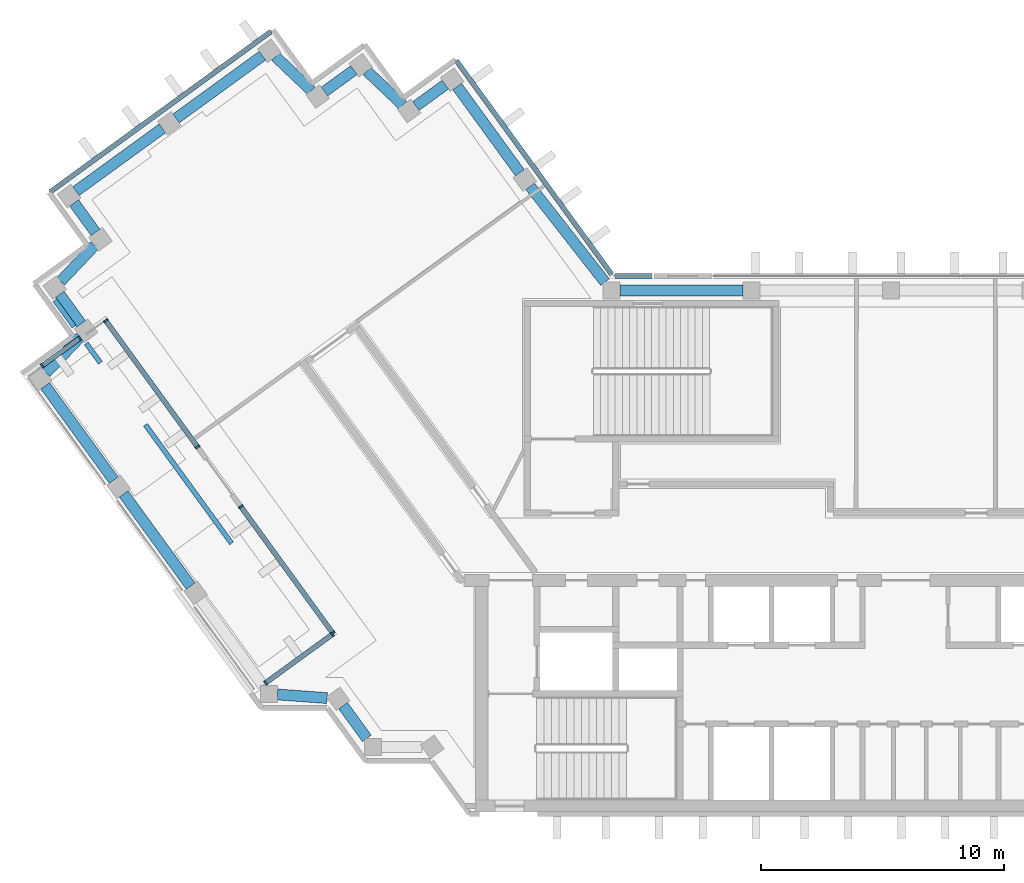
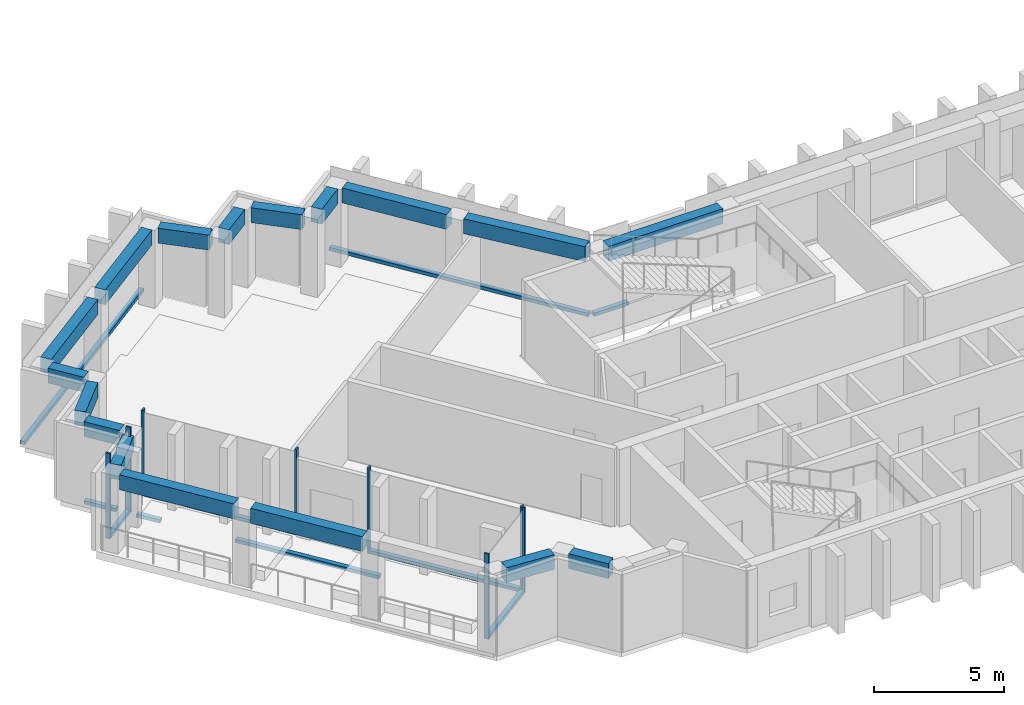
"""IFC4 building model written with IfcOpenShell, lengths in metres."""

from ifc_helpers import new_model, si_unit, direction, frame, origin, origin_2d, place, context, subcontext, project, spatial, rectangle, extrude, material, material_profile, profile_set, type_object, element, aggregate, save


model = new_model("IFC4")

# Units and contexts
model_context = context("Model", 3, precision=1e-05, world=origin(), true_north=direction((0.0, 1.0)))
body_context = subcontext(model_context, "Body", "Model", "MODEL_VIEW")
ifc_project = project(units=[si_unit("LENGTHUNIT", "METRE"), si_unit("AREAUNIT", "SQUARE_METRE"), si_unit("VOLUMEUNIT", "CUBIC_METRE"), si_unit("PLANEANGLEUNIT", "RADIAN"), si_unit("MASSUNIT", "GRAM", prefix="KILO")], contexts=[model_context])

# Site, building, storey
site_placement = place(None, origin())
site = spatial("IfcSite", under=ifc_project, at=site_placement, CompositionType="ELEMENT")
building_placement = place(site_placement, origin())
building = spatial("IfcBuilding", under=site, at=building_placement, Name="Quipu Civic Tower", CompositionType="ELEMENT")
storey_1_placement = place(building_placement, frame((0.0, 0.0, 261.0)))
storey_1 = spatial("IfcBuildingStorey", under=building, at=storey_1_placement, Name="L61", CompositionType="ELEMENT", Elevation=261.0)

# Curtain wall, members
ifc_material_1 = material(Name="Insulated glass unit", Category="glass")
curtain_wall_type = type_object("IfcCurtainWallType", Name="Office curtain wall CW1", PredefinedType="NOTDEFINED", material=ifc_material_1)
curtain_wall_1_placement = place(storey_1_placement, origin())
curtain_wall_1 = element("IfcCurtainWall", 1, at=curtain_wall_1_placement, inside=storey_1, type_object=curtain_wall_type, Name="Office curtain wall CW1 L61 run 1", PredefinedType="NOTDEFINED")
ifc_material_2 = material(Name="Anodised aluminium", Category="aluminium")
ifc_material_profile_1 = material_profile(ifc_material_2, rectangle(XDim=0.199951171875, YDim=0.080078125, at=origin_2d()), Name="RECT 200x80")
ifc_profile_set_1 = profile_set([ifc_material_profile_1], Name="Anodised aluminium")
member_type_1 = type_object("IfcMemberType", Name="Mullion CW1", PredefinedType="MULLION", material=ifc_profile_set_1)
member_1_placement = place(storey_1_placement, frame((-37.878173828125, 7.40576171875, 0.080078125), z_axis=(0.0, 0.0, 1.0), x_axis=(-0.587785088049, 0.809017113705, 0.0)))
member_1 = element("IfcMember", 2, at=member_1_placement, type_object=member_type_1, Name="CW1 mullion 1", PredefinedType="MULLION", context=body_context, shape_type="SweptSolid", body=[
    extrude(rectangle(XDim=0.199951171875, YDim=0.080078125, at=origin_2d()), origin(), (0.0, 0.0, 1.0), 4.0),
])
member_2_placement = place(storey_1_placement, frame((-36.324951171875, 8.5341796875, 0.080078125), z_axis=(0.0, 0.0, 1.0), x_axis=(-0.587785088049, 0.809017113705, 0.0)))
member_2 = element("IfcMember", 3, at=member_2_placement, type_object=member_type_1, Name="CW1 mullion 2", PredefinedType="MULLION", context=body_context, shape_type="SweptSolid", body=[
    extrude(rectangle(XDim=0.199951171875, YDim=0.080078125, at=origin_2d()), origin(), (0.0, 0.0, 1.0), 4.0),
])

curtain_wall_2_placement = place(storey_1_placement, origin())
curtain_wall_2 = element("IfcCurtainWall", 4, at=curtain_wall_2_placement, inside=storey_1, type_object=curtain_wall_type, Name="Office curtain wall CW1 L61 run 3", PredefinedType="NOTDEFINED")
member_3_placement = place(storey_1_placement, frame((-35.257080078125, 9.2607421875, 0.080078125), z_axis=(0.0, 0.0, 1.0), x_axis=(0.809016605967, 0.58778578689, 0.0)))
member_3 = element("IfcMember", 5, at=member_3_placement, type_object=member_type_1, Name="CW1 mullion 1", PredefinedType="MULLION", context=body_context, shape_type="SweptSolid", body=[
    extrude(rectangle(XDim=0.199951171875, YDim=0.080078125, at=origin_2d()), origin(), (0.0, 0.0, 1.0), 4.0),
])
member_4_placement = place(storey_1_placement, frame((-31.47265625, 4.0517578125, 0.080078125), z_axis=(0.0, 0.0, 1.0), x_axis=(0.809016605967, 0.58778578689, 0.0)))
member_4 = element("IfcMember", 6, at=member_4_placement, type_object=member_type_1, Name="CW1 mullion 2", PredefinedType="MULLION", context=body_context, shape_type="SweptSolid", body=[
    extrude(rectangle(XDim=0.199951171875, YDim=0.080078125, at=origin_2d()), origin(), (0.0, 0.0, 1.0), 4.0),
])

curtain_wall_3_placement = place(storey_1_placement, origin())
curtain_wall_3 = element("IfcCurtainWall", 7, at=curtain_wall_3_placement, inside=storey_1, type_object=curtain_wall_type, Name="Office curtain wall CW1 L61 run 5", PredefinedType="NOTDEFINED")
member_5_placement = place(storey_1_placement, frame((-29.68408203125, 1.58984375, 0.080078125), z_axis=(0.0, 0.0, 1.0), x_axis=(0.809011305716, 0.58779308198, 0.0)))
member_5 = element("IfcMember", 8, at=member_5_placement, type_object=member_type_1, Name="CW1 mullion 1", PredefinedType="MULLION", context=body_context, shape_type="SweptSolid", body=[
    extrude(rectangle(XDim=0.199951171875, YDim=0.080078125, at=origin_2d()), origin(), (0.0, 0.0, 1.0), 4.0),
])
member_6_placement = place(storey_1_placement, frame((-25.899658203125, -3.618896484375, 0.080078125), z_axis=(0.0, 0.0, 1.0), x_axis=(0.809011305716, 0.58779308198, 0.0)))
member_6 = element("IfcMember", 9, at=member_6_placement, type_object=member_type_1, Name="CW1 mullion 2", PredefinedType="MULLION", context=body_context, shape_type="SweptSolid", body=[
    extrude(rectangle(XDim=0.199951171875, YDim=0.080078125, at=origin_2d()), origin(), (0.0, 0.0, 1.0), 4.0),
])

curtain_wall_4_placement = place(storey_1_placement, origin())
curtain_wall_4 = element("IfcCurtainWall", 10, at=curtain_wall_4_placement, inside=storey_1, type_object=curtain_wall_type, Name="Office curtain wall CW1 L61 run 6", PredefinedType="NOTDEFINED")
member_7_placement = place(storey_1_placement, frame((-25.908447265625, -3.6748046875, 0.080078125), z_axis=(0.0, 0.0, 1.0), x_axis=(0.58778423342, -0.809017734628, 0.0)))
member_7 = element("IfcMember", 11, at=member_7_placement, type_object=member_type_1, Name="CW1 mullion 1", PredefinedType="MULLION", context=body_context, shape_type="SweptSolid", body=[
    extrude(rectangle(XDim=0.199951171875, YDim=0.080078125, at=origin_2d()), origin(), (0.0, 0.0, 1.0), 4.0),
])
member_8_placement = place(storey_1_placement, frame((-28.662353515625, -5.675537109375, 0.080078125), z_axis=(0.0, 0.0, 1.0), x_axis=(0.58778423342, -0.809017734628, 0.0)))
member_8 = element("IfcMember", 12, at=member_8_placement, type_object=member_type_1, Name="CW1 mullion 2", PredefinedType="MULLION", context=body_context, shape_type="SweptSolid", body=[
    extrude(rectangle(XDim=0.199951171875, YDim=0.080078125, at=origin_2d()), origin(), (0.0, 0.0, 1.0), 4.0),
])

# Beams
ifc_material_3 = material(Name="Concrete C50/60", Category="concrete")
ifc_material_profile_2 = material_profile(ifc_material_3, rectangle(XDim=0.449951171875, YDim=0.699951171875, at=origin_2d()), Name="RC450x700")
ifc_profile_set_2 = profile_set([ifc_material_profile_2], Name="Concrete C50/60")
beam_type = type_object("IfcBeamType", Name="Spandrel beam RC 450x700 C50/60", PredefinedType="SPANDREL", material=ifc_profile_set_2)
beam_1_placement = place(storey_1_placement, frame((-18.179443359375, 15.358154296875, 3.300048828125), z_axis=(-0.588201428764, 0.808714460857, 0.0), x_axis=(-0.808714460857, -0.588201428764, 0.0)))
element("IfcBeam", 13, at=beam_1_placement, inside=storey_1, type_object=beam_type, Name="Spandrel beam L61 W-IN-01 to T-Wi.0-W22", PredefinedType="SPANDREL", context=body_context, shape_type="SweptSolid", body=[
    extrude(rectangle(XDim=0.449951171875, YDim=0.699951171875, at=origin_2d()), origin(), (0.0, 0.0, 1.0), 4.394287109375),
])
beam_2_placement = place(storey_1_placement, frame((-21.25341796875, 18.989501953125, 3.300048828125), z_axis=(-0.809461336076, -0.587173181776, 0.0), x_axis=(0.587173181776, -0.809461336076, 0.0)))
element("IfcBeam", 14, at=beam_2_placement, inside=storey_1, type_object=beam_type, Name="Spandrel beam L61 T-Wi.0-W22 to T-Wi.1-W22", PredefinedType="SPANDREL", context=body_context, shape_type="SweptSolid", body=[
    extrude(rectangle(XDim=0.449951171875, YDim=0.699951171875, at=origin_2d()), origin(), (0.0, 0.0, 1.0), 1.498046875),
])
beam_3_placement = place(storey_1_placement, frame((-23.00732421875, 18.1494140625, 3.300048828125), z_axis=(-0.72511931772, 0.6886232461, 0.0), x_axis=(-0.6886232461, -0.72511931772, 0.0)))
element("IfcBeam", 15, at=beam_3_placement, inside=storey_1, type_object=beam_type, Name="Spandrel beam L61 T-Wi.1-W22 to T-Wi.2-W22", PredefinedType="SPANDREL", context=body_context, shape_type="SweptSolid", body=[
    extrude(rectangle(XDim=0.449951171875, YDim=0.699951171875, at=origin_2d()), origin(), (0.0, 0.0, 1.0), 2.03369140625),
])
beam_4_placement = place(storey_1_placement, frame((-25.02294921875, 19.589111328125, 3.300048828125), z_axis=(-0.808644589435, -0.588297482553, 0.0), x_axis=(0.588297482553, -0.808644589435, 0.0)))
element("IfcBeam", 16, at=beam_4_placement, inside=storey_1, type_object=beam_type, Name="Spandrel beam L61 T-Wi.2-W22 to T-Wi.3-W22", PredefinedType="SPANDREL", context=body_context, shape_type="SweptSolid", body=[
    extrude(rectangle(XDim=0.449951171875, YDim=0.699951171875, at=origin_2d()), origin(), (0.0, 0.0, 1.0), 1.500244140625),
])
beam_5_placement = place(storey_1_placement, frame((-26.777099609375, 18.74560546875, 3.300048828125), z_axis=(-0.725359138958, 0.688370626574, 0.0), x_axis=(-0.688370626574, -0.725359138958, 0.0)))
element("IfcBeam", 17, at=beam_5_placement, inside=storey_1, type_object=beam_type, Name="Spandrel beam L61 T-Wi.3-W22 to T-Wi.4-W22", PredefinedType="SPANDREL", context=body_context, shape_type="SweptSolid", body=[
    extrude(rectangle(XDim=0.449951171875, YDim=0.699951171875, at=origin_2d()), origin(), (0.0, 0.0, 1.0), 2.032958984375),
])
beam_6_placement = place(storey_1_placement, frame((-28.793212890625, 20.184326171875, 3.300048828125), z_axis=(-0.809146152767, -0.587607439931, 0.0), x_axis=(0.587607439931, -0.809146152767, 0.0)))
element("IfcBeam", 18, at=beam_6_placement, inside=storey_1, type_object=beam_type, Name="Spandrel beam L61 T-Wi.4-W22 to TIP-W-01-W22", PredefinedType="SPANDREL", context=body_context, shape_type="SweptSolid", body=[
    extrude(rectangle(XDim=0.449951171875, YDim=0.699951171875, at=origin_2d()), origin(), (0.0, 0.0, 1.0), 4.400390625),
])
beam_7_placement = place(storey_1_placement, frame((-32.920166015625, 17.187255859375, 3.300048828125), z_axis=(-0.809117270763, -0.587647208921, 0.0), x_axis=(0.587647208921, -0.809117270763, 0.0)))
element("IfcBeam", 19, at=beam_7_placement, inside=storey_1, type_object=beam_type, Name="Spandrel beam L61 TIP-W-01-W22 to T-Wo.0-W22", PredefinedType="SPANDREL", context=body_context, shape_type="SweptSolid", body=[
    extrude(rectangle(XDim=0.449951171875, YDim=0.699951171875, at=origin_2d()), origin(), (0.0, 0.0, 1.0), 4.40185546875),
])
beam_8_placement = place(storey_1_placement, frame((-36.55908203125, 14.112060546875, 3.300048828125), z_axis=(0.588345920092, -0.808609348394, 0.0), x_axis=(0.808609348394, 0.588345920092, 0.0)))
element("IfcBeam", 20, at=beam_8_placement, inside=storey_1, type_object=beam_type, Name="Spandrel beam L61 T-Wo.0-W22 to T-Wo.1-W22", PredefinedType="SPANDREL", context=body_context, shape_type="SweptSolid", body=[
    extrude(rectangle(XDim=0.449951171875, YDim=0.699951171875, at=origin_2d()), origin(), (0.0, 0.0, 1.0), 1.499755859375),
])
beam_9_placement = place(storey_1_placement, frame((-35.7158203125, 12.358154296875, 3.300048828125), z_axis=(-0.688247466856, -0.725475998477, 0.0), x_axis=(0.725475998477, -0.688247466856, 0.0)))
element("IfcBeam", 21, at=beam_9_placement, inside=storey_1, type_object=beam_type, Name="Spandrel beam L61 T-Wo.1-W22 to T-Wo.2-W22", PredefinedType="SPANDREL", context=body_context, shape_type="SweptSolid", body=[
    extrude(rectangle(XDim=0.449951171875, YDim=0.699951171875, at=origin_2d()), origin(), (0.0, 0.0, 1.0), 2.032958984375),
])
beam_10_placement = place(storey_1_placement, frame((-37.154541015625, 10.341796875, 3.300048828125), z_axis=(0.587164895097, -0.809467347066, 0.0), x_axis=(0.809467347066, 0.587164895097, 0.0)))
element("IfcBeam", 22, at=beam_10_placement, inside=storey_1, type_object=beam_type, Name="Spandrel beam L61 T-Wo.2-W22 to T-Wo.3-W22", PredefinedType="SPANDREL", context=body_context, shape_type="SweptSolid", body=[
    extrude(rectangle(XDim=0.449951171875, YDim=0.699951171875, at=origin_2d()), origin(), (0.0, 0.0, 1.0), 1.500244140625),
])
beam_11_placement = place(storey_1_placement, frame((-36.3134765625, 8.586181640625, 3.300048828125), z_axis=(-0.689175330605, -0.724594620244, 0.0), x_axis=(0.724594620244, -0.689175330605, 0.0)))
element("IfcBeam", 23, at=beam_11_placement, inside=storey_1, type_object=beam_type, Name="Spandrel beam L61 T-Wo.3-W22 to T-Wo.4-W22", PredefinedType="SPANDREL", context=body_context, shape_type="SweptSolid", body=[
    extrude(rectangle(XDim=0.449951171875, YDim=0.699951171875, at=origin_2d()), origin(), (0.0, 0.0, 1.0), 2.033447265625),
])
beam_12_placement = place(storey_1_placement, frame((-37.754150390625, 6.57177734375, 3.300048828125), z_axis=(0.587905928359, -0.808929304328, 0.0), x_axis=(0.808929304328, 0.587905928359, 0.0)))
element("IfcBeam", 24, at=beam_12_placement, inside=storey_1, type_object=beam_type, Name="Spandrel beam L61 T-Wo.4-W22 to W-OUT-02", PredefinedType="SPANDREL", context=body_context, shape_type="SweptSolid", body=[
    extrude(rectangle(XDim=0.449951171875, YDim=0.699951171875, at=origin_2d()), origin(), (0.0, 0.0, 1.0), 4.80712890625),
])
beam_13_placement = place(storey_1_placement, frame((-34.5166015625, 2.116943359375, 3.300048828125), z_axis=(0.587788656305, -0.809014521204, 0.0), x_axis=(0.809014521204, 0.587788656305, 0.0)))
element("IfcBeam", 25, at=beam_13_placement, inside=storey_1, type_object=beam_type, Name="Spandrel beam L61 W-OUT-02 to W-OUT-01", PredefinedType="SPANDREL", context=body_context, shape_type="SweptSolid", body=[
    extrude(rectangle(XDim=0.449951171875, YDim=0.699951171875, at=origin_2d()), origin(), (0.0, 0.0, 1.0), 4.7001953125),
])
beam_14_placement = place(storey_1_placement, frame((-28.175048828125, -6.155517578125, 3.300048828125), z_axis=(0.99737333325, -0.072432272649, 0.0), x_axis=(0.072432272649, 0.99737333325, 0.0)))
element("IfcBeam", 26, at=beam_14_placement, inside=storey_1, type_object=beam_type, Name="Spandrel beam L61 J-Wo.0 to J-Wo.1", PredefinedType="SPANDREL", context=body_context, shape_type="SweptSolid", body=[
    extrude(rectangle(XDim=0.449951171875, YDim=0.699951171875, at=origin_2d()), origin(), (0.0, 0.0, 1.0), 2.04931640625),
])
beam_15_placement = place(storey_1_placement, frame((-25.468505859375, -6.6201171875, 3.300048828125), z_axis=(0.588407300614, -0.80856468423, 0.0), x_axis=(0.80856468423, 0.588407300614, 0.0)))
element("IfcBeam", 27, at=beam_15_placement, inside=storey_1, type_object=beam_type, Name="Spandrel beam L61 J-Wo.1 to J-Wo.2", PredefinedType="SPANDREL", context=body_context, shape_type="SweptSolid", body=[
    extrude(rectangle(XDim=0.449951171875, YDim=0.699951171875, at=origin_2d()), origin(), (0.0, 0.0, 1.0), 1.663330078125),
])
beam_16_placement = place(storey_1_placement, frame((-8.987060546875, 10.5, 3.300048828125), z_axis=(-1.0, 0.0, 0.0), x_axis=(0.0, -1.0, 0.0)))
element("IfcBeam", 28, at=beam_16_placement, inside=storey_1, type_object=beam_type, Name="Spandrel beam L61 FRONT-04 to J-Wi.0", PredefinedType="SPANDREL", context=body_context, shape_type="SweptSolid", body=[
    extrude(rectangle(XDim=0.449951171875, YDim=0.699951171875, at=origin_2d()), origin(), (0.0, 0.0, 1.0), 5.05810546875),
])
beam_17_placement = place(storey_1_placement, frame((-14.6689453125, 10.85009765625, 3.300048828125), z_axis=(-0.616106034519, 0.787663223865, 0.0), x_axis=(-0.787663223865, -0.616106034519, 0.0)))
element("IfcBeam", 29, at=beam_17_placement, inside=storey_1, type_object=beam_type, Name="Spandrel beam L61 J-Wi.0 to W-IN-01", PredefinedType="SPANDREL", context=body_context, shape_type="SweptSolid", body=[
    extrude(rectangle(XDim=0.449951171875, YDim=0.699951171875, at=origin_2d()), origin(), (0.0, 0.0, 1.0), 5.013427734375),
])

# Storey
storey_2_placement = place(building_placement, frame((0.0, 0.0, 257.0)))
storey_2 = spatial("IfcBuildingStorey", under=building, at=storey_2_placement, Name="L60", CompositionType="ELEMENT", Elevation=257.0)

# Curtain wall, member
curtain_wall_5_placement = place(storey_2_placement, origin())
curtain_wall_5 = element("IfcCurtainWall", 30, at=curtain_wall_5_placement, inside=storey_2, type_object=curtain_wall_type, Name="Office curtain wall CW1 L60 run 2", PredefinedType="NOTDEFINED")
ifc_material_4 = material(Name="Anodised aluminium", Category="aluminium")
ifc_material_profile_3 = material_profile(ifc_material_4, rectangle(XDim=0.199951171875, YDim=0.159912109375, at=origin_2d()), Name="RECT 200x160")
ifc_profile_set_3 = profile_set([ifc_material_profile_3], Name="Anodised aluminium")
member_type_2 = type_object("IfcMemberType", Name="Transom CW1", PredefinedType="USERDEFINED", material=ifc_profile_set_3)
member_9_placement = place(storey_1_placement, frame((-37.3505859375, 10.100341796875, 0.0), z_axis=(0.587716643915, -0.809066836834, 0.0), x_axis=(0.809066836834, 0.587716643915, 0.0)))
member_9 = element("IfcMember", 31, at=member_9_placement, inside=storey_1, type_object=member_type_2, Name="CW1 transom 1.2", ObjectType="TRANSOM", PredefinedType="USERDEFINED", context=body_context, shape_type="SweptSolid", body=[
    extrude(rectangle(XDim=0.199951171875, YDim=0.159912109375, at=origin_2d()), origin(), (0.0, 0.0, 1.0), 1.340087890625),
])
aggregate(curtain_wall_5, [member_9])

curtain_wall_6_placement = place(storey_2_placement, origin())
curtain_wall_6 = element("IfcCurtainWall", 32, at=curtain_wall_6_placement, inside=storey_2, type_object=curtain_wall_type, Name="Office curtain wall CW1 L60 run 3", PredefinedType="NOTDEFINED")
member_10_placement = place(storey_1_placement, frame((-36.057373046875, 8.320556640625, 0.0), z_axis=(0.587819781808, -0.808991906087, 0.0), x_axis=(0.808991906087, 0.587819781808, 0.0)))
member_10 = element("IfcMember", 33, at=member_10_placement, inside=storey_1, type_object=member_type_2, Name="CW1 transom 1.2", ObjectType="TRANSOM", PredefinedType="USERDEFINED", context=body_context, shape_type="SweptSolid", body=[
    extrude(rectangle(XDim=0.199951171875, YDim=0.159912109375, at=origin_2d()), origin(), (0.0, 0.0, 1.0), 0.990234375),
])
aggregate(curtain_wall_6, [member_10])

curtain_wall_7_placement = place(storey_2_placement, origin())
curtain_wall_7 = element("IfcCurtainWall", 34, at=curtain_wall_7_placement, inside=storey_2, type_object=curtain_wall_type, Name="Office curtain wall CW1 L60 run 5", PredefinedType="NOTDEFINED")
member_11_placement = place(storey_1_placement, frame((-33.617919921875, 4.962890625, 0.0), z_axis=(0.587777430815, -0.809022676953, 0.0), x_axis=(0.809022676953, 0.587777430815, 0.0)))
member_11 = element("IfcMember", 35, at=member_11_placement, inside=storey_1, type_object=member_type_2, Name="CW1 transom 1.2", ObjectType="TRANSOM", PredefinedType="USERDEFINED", context=body_context, shape_type="SweptSolid", body=[
    extrude(rectangle(XDim=0.199951171875, YDim=0.159912109375, at=origin_2d()), origin(), (0.0, 0.0, 1.0), 6.039306640625),
])
aggregate(curtain_wall_7, [member_11])

curtain_wall_8_placement = place(storey_2_placement, origin())
curtain_wall_8 = element("IfcCurtainWall", 36, at=curtain_wall_8_placement, inside=storey_2, type_object=curtain_wall_type, Name="Office curtain wall CW1 L59 run 28", PredefinedType="NOTDEFINED")
member_12_placement = place(storey_1_placement, frame((-12.735107421875, 11.10009765625, 0.080078125), z_axis=(-1.0, 0.0, 0.0), x_axis=(0.0, -1.0, 0.0)))
member_12 = element("IfcMember", 37, at=member_12_placement, inside=storey_1, type_object=member_type_2, Name="CW1 transom 1.3", ObjectType="TRANSOM", PredefinedType="USERDEFINED", context=body_context, shape_type="SweptSolid", body=[
    extrude(rectangle(XDim=0.199951171875, YDim=0.159912109375, at=origin_2d()), origin(), (0.0, 0.0, 1.0), 1.529052734375),
])
aggregate(curtain_wall_8, [member_12])

curtain_wall_9_placement = place(storey_2_placement, origin())
curtain_wall_9 = element("IfcCurtainWall", 38, at=curtain_wall_9_placement, inside=storey_2, type_object=curtain_wall_type, Name="Office curtain wall CW1 L59 run 29", PredefinedType="NOTDEFINED")
member_13_placement = place(storey_1_placement, frame((-14.39111328125, 11.164794921875, 0.080078125), z_axis=(-0.587796859727, 0.809008560953, 0.0), x_axis=(-0.809008560953, -0.587796859727, 0.0)))
member_13 = element("IfcMember", 39, at=member_13_placement, inside=storey_1, type_object=member_type_2, Name="CW1 transom 1.3", ObjectType="TRANSOM", PredefinedType="USERDEFINED", context=body_context, shape_type="SweptSolid", body=[
    extrude(rectangle(XDim=0.199951171875, YDim=0.159912109375, at=origin_2d()), origin(), (0.0, 0.0, 1.0), 10.88427734375),
])
aggregate(curtain_wall_9, [member_13])

curtain_wall_10_placement = place(storey_2_placement, origin())
curtain_wall_10 = element("IfcCurtainWall", 40, at=curtain_wall_10_placement, inside=storey_2, type_object=curtain_wall_type, Name="Office curtain wall CW1 L59 run 34", PredefinedType="NOTDEFINED")
member_14_placement = place(storey_1_placement, frame((-28.443359375, 21.1826171875, 0.080078125), z_axis=(-0.809022463805, -0.587777724194, 0.0), x_axis=(0.587777724194, -0.809022463805, 0.0)))
member_14 = element("IfcMember", 41, at=member_14_placement, inside=storey_1, type_object=member_type_2, Name="CW1 transom 1.3", ObjectType="TRANSOM", PredefinedType="USERDEFINED", context=body_context, shape_type="SweptSolid", body=[
    extrude(rectangle(XDim=0.199951171875, YDim=0.159912109375, at=origin_2d()), origin(), (0.0, 0.0, 1.0), 11.240234375),
])
aggregate(curtain_wall_10, [member_14])

# Member
member_15_placement = place(storey_1_placement, frame((-37.845703125, 7.429443359375, 0.159912109375), z_axis=(0.809017199524, 0.587784969929, 0.0), x_axis=(-0.587784969929, 0.809017199524, 0.0)))
member_15 = element("IfcMember", 42, at=member_15_placement, type_object=member_type_2, Name="CW1 transom 1.1", ObjectType="TRANSOM", PredefinedType="USERDEFINED", context=body_context, shape_type="SweptSolid", body=[
    extrude(rectangle(XDim=0.199951171875, YDim=0.159912109375, at=origin_2d()), origin(), (0.0, 0.0, 1.0), 1.839599609375),
])

aggregate(curtain_wall_1, [member_1, member_2, member_15])

member_16_placement = place(storey_1_placement, frame((-35.233642578125, 9.228271484375, 0.159912109375), z_axis=(0.587778942742, -0.809021578494, 0.0), x_axis=(0.809021578494, 0.587778942742, 0.0)))
member_16 = element("IfcMember", 43, at=member_16_placement, type_object=member_type_2, Name="CW1 transom 1.1", ObjectType="TRANSOM", PredefinedType="USERDEFINED", context=body_context, shape_type="SweptSolid", body=[
    extrude(rectangle(XDim=0.199951171875, YDim=0.159912109375, at=origin_2d()), origin(), (0.0, 0.0, 1.0), 6.3583984375),
])

aggregate(curtain_wall_2, [member_3, member_4, member_16])

member_17_placement = place(storey_1_placement, frame((-29.66064453125, 1.5576171875, 0.159912109375), z_axis=(0.587804073239, -0.809003319822, 0.0), x_axis=(0.809003319822, 0.587804073239, 0.0)))
member_17 = element("IfcMember", 44, at=member_17_placement, type_object=member_type_2, Name="CW1 transom 1.1", ObjectType="TRANSOM", PredefinedType="USERDEFINED", context=body_context, shape_type="SweptSolid", body=[
    extrude(rectangle(XDim=0.199951171875, YDim=0.159912109375, at=origin_2d()), origin(), (0.0, 0.0, 1.0), 6.3583984375),
])

aggregate(curtain_wall_3, [member_5, member_6, member_17])

member_18_placement = place(storey_1_placement, frame((-25.94091796875, -3.6982421875, 0.159912109375), z_axis=(-0.809012312399, -0.587791696426, 0.0), x_axis=(0.587791696426, -0.809012312399, 0.0)))
member_18 = element("IfcMember", 45, at=member_18_placement, type_object=member_type_2, Name="CW1 transom 1.1", ObjectType="TRANSOM", PredefinedType="USERDEFINED", context=body_context, shape_type="SweptSolid", body=[
    extrude(rectangle(XDim=0.199951171875, YDim=0.159912109375, at=origin_2d()), origin(), (0.0, 0.0, 1.0), 3.323974609375),
])

aggregate(curtain_wall_4, [member_7, member_8, member_18])

save(model, "model.ifc")
